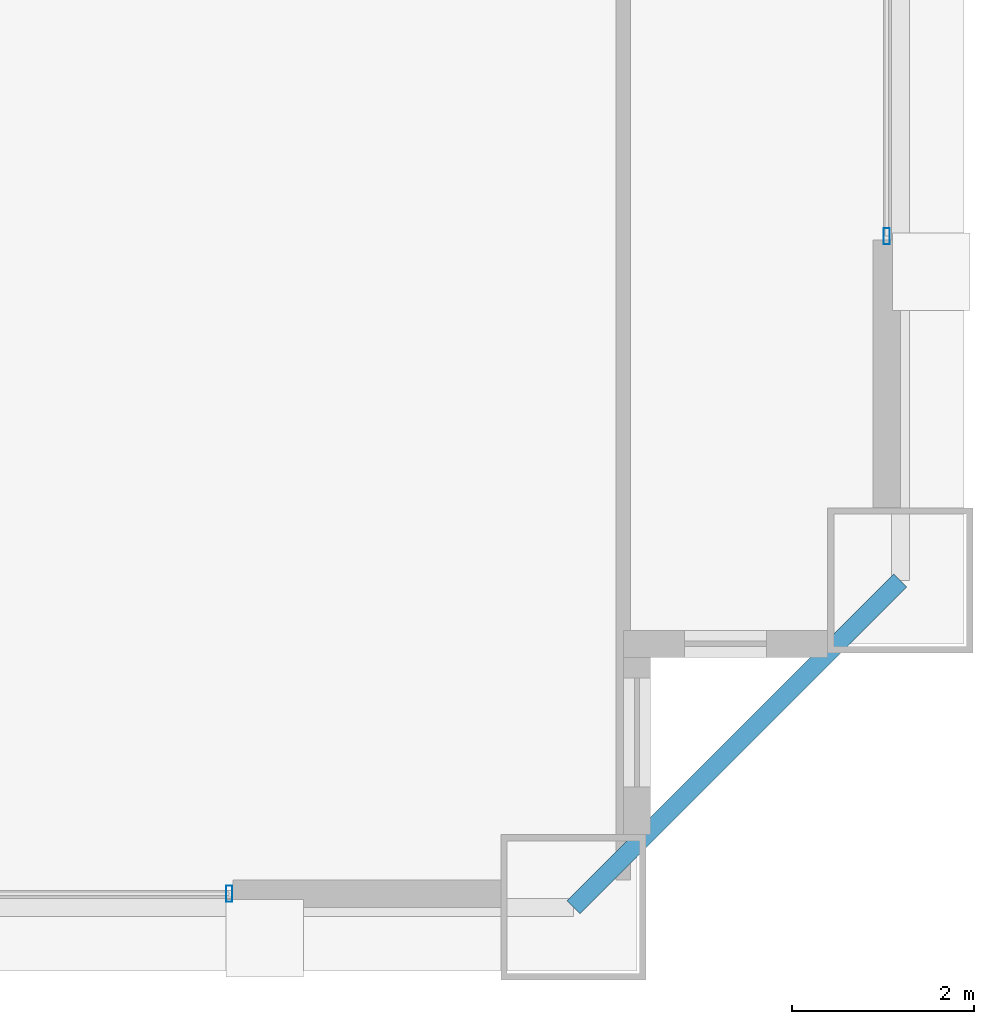
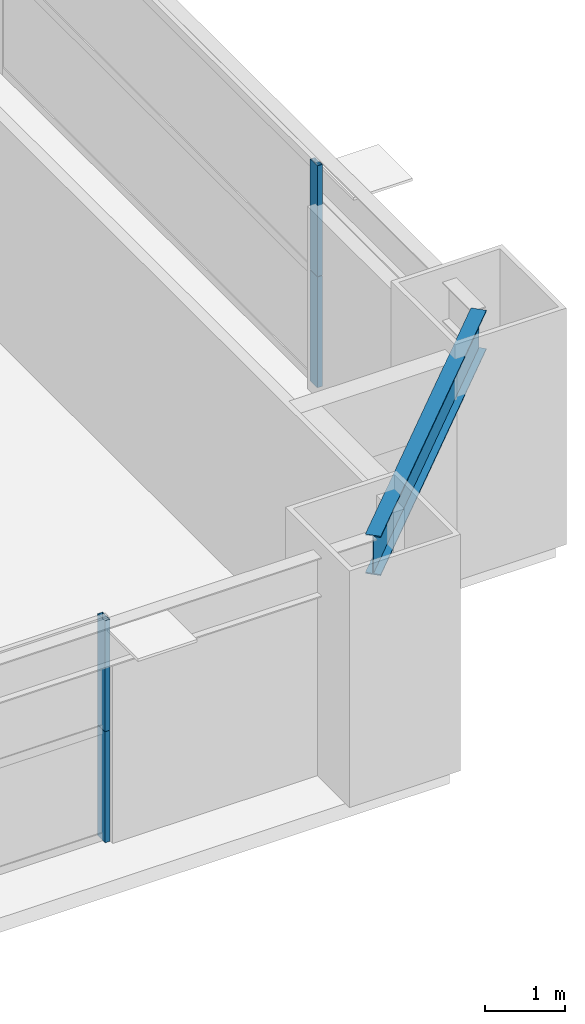
# One storey, part 16 of 39: 4 members, 1 beam, 2 elements without a shape of their own.
"""IFC4 building model written with IfcOpenShell, lengths in metres."""

from ifc_helpers import new_model, si_unit, direction, frame, origin, origin_2d, place, context, subcontext, project, spatial, hollow_rectangle, i_section, extrude, source, transform, mapped, material, layer, layer_set, material_profile, profile_set, type_object, element, aggregate, save


model = new_model("IFC4")

# Units and contexts
model_context = context("Model", 3, precision=1e-05, world=origin(), true_north=direction((0.0, 1.0)))
body_context = subcontext(model_context, "Body", "Model", "MODEL_VIEW")
ifc_project = project(units=[si_unit("LENGTHUNIT", "METRE"), si_unit("AREAUNIT", "SQUARE_METRE"), si_unit("VOLUMEUNIT", "CUBIC_METRE"), si_unit("PLANEANGLEUNIT", "RADIAN"), si_unit("MASSUNIT", "GRAM", prefix="KILO"), si_unit("THERMODYNAMICTEMPERATUREUNIT", "KELVIN"), si_unit("POWERUNIT", "WATT")], contexts=[model_context])

# Site, building, storey
site_placement = place(None, origin())
site = spatial("IfcSite", under=ifc_project, at=site_placement, CompositionType="ELEMENT")
building_placement = place(site_placement, origin())
building = spatial("IfcBuilding", under=site, at=building_placement, Name="Yuzanri Waterfront Tower", CompositionType="ELEMENT")
storey_placement = place(building_placement, frame((0.0, 0.0, 134.39990234375)))
storey = spatial("IfcBuildingStorey", under=building, at=storey_placement, Name="L35", CompositionType="ELEMENT", Elevation=134.39990234375)

# Beam
ifc_material_1 = material(Name="Steel Q355B", Category="steel")
ifc_material_profile_1 = material_profile(ifc_material_1, i_section(OverallWidth=0.199951171875, OverallDepth=0.60009765625, WebThickness=0.010986328125, FlangeThickness=0.01708984375, at=origin_2d()), Name="HN 600x200x11x17")
ifc_profile_set_1 = profile_set([ifc_material_profile_1], Name="Steel Q355B")
beam_type = type_object("IfcBeamType", Name="Perimeter Spandrel Q355B HN 600x200", PredefinedType="SPANDREL", material=ifc_profile_set_1)
shared_shape_1 = source(origin(), body_context, "Body", "SweptSolid", [
    extrude(i_section(OverallWidth=0.199951171875, OverallDepth=0.60009765625, WebThickness=0.010986328125, FlangeThickness=0.01708984375, at=origin_2d()), origin(), (0.0, 0.0, 1.0), 5.09130859375),
])
beam_placement = place(storey_placement, frame((57.0, 2.199951171875, 3.080078125), z_axis=(0.707106781187, 0.707106781187, 0.0), x_axis=(-0.707106781187, 0.707106781187, 0.0)))
element("IfcBeam", 1, at=beam_placement, inside=storey, type_object=beam_type, Name="L35 Perimeter Spandrel S3-E1", PredefinedType="SPANDREL", context=body_context, shape_type="MappedRepresentation", body=[
    mapped(shared_shape_1, transform((0.0, 0.0, 0.0), scale=1.0)),
])

# Curtain wall, members
ifc_material_2 = material(Name="Anodized Architectural Bronze", Category="metal")
ifc_layer = layer(ifc_material_2, 0.159912109375)
ifc_layer_set = layer_set([ifc_layer], Name="Anodized Architectural Bronze")
curtain_wall_type = type_object("IfcCurtainWallType", Name="Anodized Bronze Hotel Upper-Tier Solar-Control Unitized Curtain Wall 7800", PredefinedType="NOTDEFINED", material=ifc_layer_set)
curtain_wall_1_placement = place(storey_placement, origin())
curtain_wall_1 = element("IfcCurtainWall", 2, at=curtain_wall_1_placement, inside=storey, type_object=curtain_wall_type, Name="L35 Curtain Wall CW-L35-SR", PredefinedType="NOTDEFINED")
ifc_material_3 = material(Name="Anodized Architectural Bronze", Category="metal")
ifc_material_profile_2 = material_profile(ifc_material_3, hollow_rectangle(XDim=0.070068359375, YDim=0.179931640625, WallThickness=0.00390625, at=origin_2d()), Name="CWM 70x180")
ifc_profile_set_2 = profile_set([ifc_material_profile_2], Name="Anodized Architectural Bronze")
member_type = type_object("IfcMemberType", Name="Anodized Bronze Standard Curtain-Wall Mullion 70x180", PredefinedType="MULLION", material=ifc_profile_set_2)
shared_shape_2 = source(origin(), body_context, "Body", "SweptSolid", [
    extrude(hollow_rectangle(XDim=0.070068359375, YDim=0.179931640625, WallThickness=0.00390625, at=origin_2d()), origin(), (0.0, 0.0, 1.0), 1.68798828125),
])
member_1_placement = place(storey_placement, frame((53.2099609375, 2.35009765625, 0.0), z_axis=(0.0, 0.0, 1.0), x_axis=(1.0, 0.0, 0.0)))
member_1 = element("IfcMember", 3, at=member_1_placement, type_object=member_type, Name="CW-L35-SR Lower Mullion 02", PredefinedType="MULLION", context=body_context, shape_type="MappedRepresentation", body=[
    mapped(shared_shape_2, transform((0.0, 0.0, 0.0), scale=1.0)),
])
member_2_placement = place(storey_placement, frame((53.2099609375, 2.35009765625, 1.692138671875), z_axis=(0.0, 0.0, 1.0), x_axis=(1.0, 0.0, 0.0)))
member_2 = element("IfcMember", 4, at=member_2_placement, type_object=member_type, Name="CW-L35-SR Upper Mullion 02", PredefinedType="MULLION", context=body_context, shape_type="MappedRepresentation", body=[
    mapped(shared_shape_2, transform((0.0, 0.0, 0.0), scale=1.0)),
])
aggregate(curtain_wall_1, [member_1, member_2])

curtain_wall_2_placement = place(storey_placement, origin())
curtain_wall_2 = element("IfcCurtainWall", 5, at=curtain_wall_2_placement, inside=storey, type_object=curtain_wall_type, Name="L35 Curtain Wall CW-L35-EL", PredefinedType="NOTDEFINED")
member_3_placement = place(storey_placement, frame((60.449951171875, 9.590087890625, 0.0), z_axis=(0.0, 0.0, 1.0), x_axis=(1.0, 0.0, 0.0)))
member_3 = element("IfcMember", 6, at=member_3_placement, type_object=member_type, Name="CW-L35-EL Lower Mullion 00", PredefinedType="MULLION", context=body_context, shape_type="MappedRepresentation", body=[
    mapped(shared_shape_2, transform((0.0, 0.0, 0.0), scale=1.0)),
])
member_4_placement = place(storey_placement, frame((60.449951171875, 9.590087890625, 1.692138671875), z_axis=(0.0, 0.0, 1.0), x_axis=(1.0, 0.0, 0.0)))
member_4 = element("IfcMember", 7, at=member_4_placement, type_object=member_type, Name="CW-L35-EL Upper Mullion 00", PredefinedType="MULLION", context=body_context, shape_type="MappedRepresentation", body=[
    mapped(shared_shape_2, transform((0.0, 0.0, 0.0), scale=1.0)),
])
aggregate(curtain_wall_2, [member_3, member_4])

save(model, "model.ifc")
